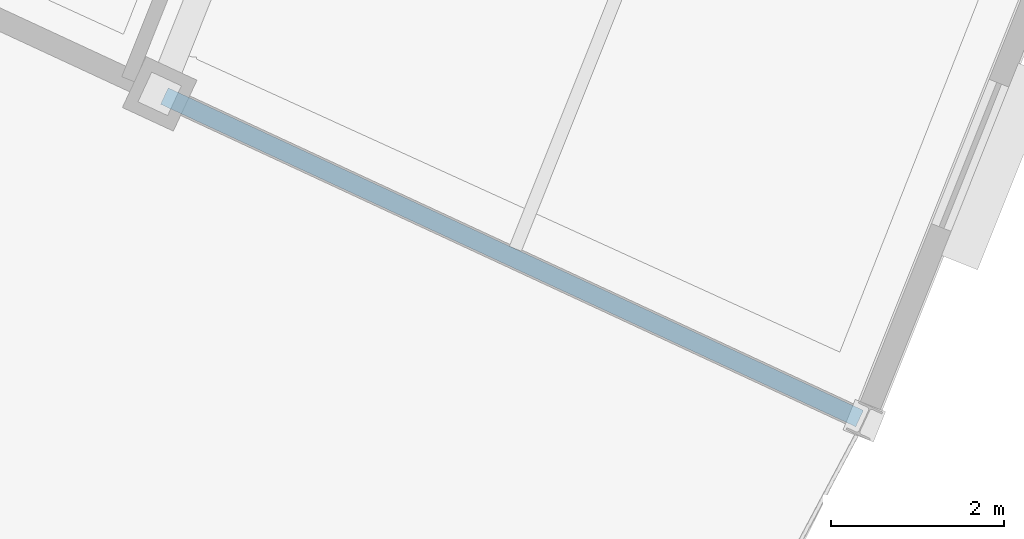
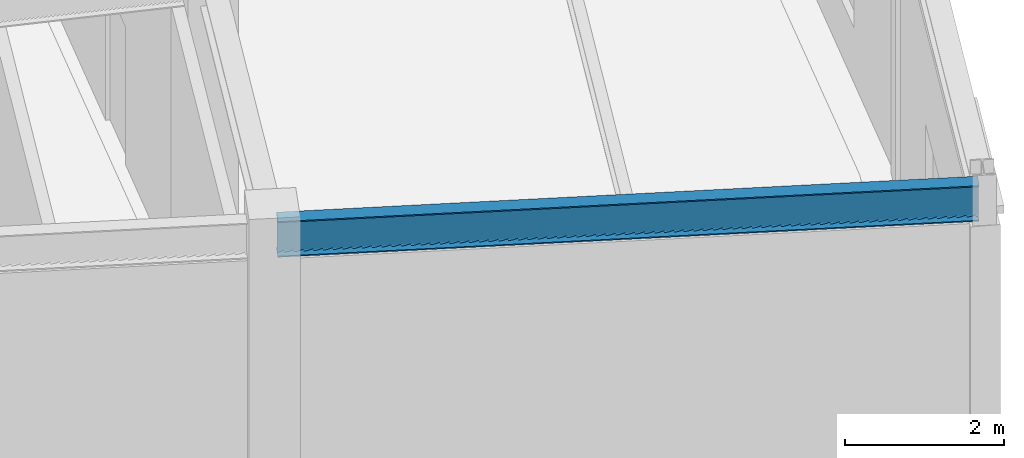
# One storey, part 64 of 108: 1 beam.
"""IFC4 building model written with IfcOpenShell, lengths in metres."""

import ifcopenshell
import ifcopenshell.guid

model = None  # the IFC model being written
_history = None  # IfcOwnerHistory: only IFC2X3 demands one
_inside = {}  # id of a spatial element -> (the spatial element, [elements in it])
_under = {}  # id of a project, library or spatial element -> (it, [spatial elements below it])
_declared = {}  # id of a project -> (the project, [libraries it declares])
_typed = {}  # id of a type object -> (the type object, [elements of that type])
_made_of = {}  # id of a material, layer set ... -> (it, [elements and type objects made of it])


def new_model(schema):
    """Start an empty IFC model of exactly this schema.

    Asked for "IFC4X3", IfcOpenShell would pick the latest addendum, in which some entities
    have other attributes; the version numbers below select the first issue.
    IFC2X3 requires an IfcOwnerHistory on every rooted entity: one is made here for all.
    """
    global model, _history
    if schema == "IFC4X3":
        model = ifcopenshell.file(schema_version=(4, 3, 0, 0))
    else:
        model = ifcopenshell.file(schema=schema)
    _inside.clear()
    _under.clear()
    _declared.clear()
    _typed.clear()
    _made_of.clear()
    _history = None
    if model.schema == "IFC2X3":
        org = make("IfcOrganization", Name="unknown")
        user = make(
            "IfcPersonAndOrganization",
            ThePerson=make("IfcPerson", FamilyName="unknown"),
            TheOrganization=org,
        )
        app = make(
            "IfcApplication",
            ApplicationDeveloper=org,
            Version="unknown",
            ApplicationFullName="unknown",
            ApplicationIdentifier="unknown",
        )
        _history = make(
            "IfcOwnerHistory",
            OwningUser=user,
            OwningApplication=app,
            ChangeAction="ADDED",
            CreationDate=0,
        )
    return model


def make(cls, **values):
    """One entity of the class cls with the attributes given. An attribute that is None is left unset."""
    return model.create_entity(
        cls, **{name: value for name, value in values.items() if value is not None}
    )


def rooted(cls, **values):
    """An entity with a GlobalId (a new one), such as an element, a storey or a relation."""
    return make(cls, GlobalId=ifcopenshell.guid.new(), OwnerHistory=_history, **values)


def si_unit(unit_type, name, prefix=None):
    """IfcSIUnit, for example si_unit("LENGTHUNIT", "METRE", prefix="MILLI")."""
    return make("IfcSIUnit", UnitType=unit_type, Prefix=prefix, Name=name)


def assignment(units):
    """IfcUnitAssignment: the units of a project."""
    return None if units is None else make("IfcUnitAssignment", Units=units)


def point(xyz):
    """IfcCartesianPoint."""
    return None if xyz is None else make("IfcCartesianPoint", Coordinates=xyz)


def direction(xyz):
    """IfcDirection."""
    return None if xyz is None else make("IfcDirection", DirectionRatios=xyz)


def frame(location, z_axis=None, x_axis=None):
    """IfcAxis2Placement3D, a coordinate frame: its origin and axes. An axis left out is left unset."""
    return make(
        "IfcAxis2Placement3D",
        Location=point(location),
        Axis=direction(z_axis),
        RefDirection=direction(x_axis),
    )


def frame_2d(location, x_axis=None):
    """IfcAxis2Placement2D, a coordinate frame in the plane: its origin and x axis."""
    return make(
        "IfcAxis2Placement2D", Location=point(location), RefDirection=direction(x_axis)
    )


def origin():
    """The frame at (0, 0, 0) with its axes left unset."""
    return frame((0.0, 0.0, 0.0))


def origin_2d():
    """The frame at (0, 0) in the plane with its x axis left unset."""
    return frame_2d((0.0, 0.0))


def place(relative_to, where):
    """IfcLocalPlacement: puts the frame where relative to a parent placement (None: the world)."""
    return make(
        "IfcLocalPlacement", PlacementRelTo=relative_to, RelativePlacement=where
    )


def context(
    kind, dimensions, precision=None, world=None, true_north=None, identifier=None
):
    """IfcGeometricRepresentationContext, for example the 3D "Model" context."""
    return make(
        "IfcGeometricRepresentationContext",
        ContextIdentifier=identifier,
        ContextType=kind,
        CoordinateSpaceDimension=dimensions,
        Precision=precision,
        WorldCoordinateSystem=world,
        TrueNorth=true_north,
    )


def subcontext(parent, identifier, kind, view, scale=None):
    """IfcGeometricRepresentationSubContext, for example "Body" below "Model"."""
    return make(
        "IfcGeometricRepresentationSubContext",
        ContextIdentifier=identifier,
        ContextType=kind,
        ParentContext=parent,
        TargetScale=scale,
        TargetView=view,
    )


def project(units=None, contexts=None):
    """IfcProject with its units and contexts."""
    return rooted(
        "IfcProject",
        Name="project",
        RepresentationContexts=contexts,
        UnitsInContext=assignment(units),
    )


def spatial(cls, under=None, at=None, **own):
    """A site, building, storey or space (cls), placed at a placement, below another one or the project."""
    s = rooted(cls, ObjectPlacement=at, **own)
    if under is not None:
        _under.setdefault(under.id(), (under, []))[1].append(s)
    return s


def profile(cls, at=None, kind="AREA", **sizes):
    """A parametric profile (cls). Its sizes go by their IFC names, for example OverallWidth=200.0."""
    return make(cls, ProfileType=kind, Position=at, **sizes)


def i_section(**sizes):
    """IfcIShapeProfileDef."""
    return profile("IfcIShapeProfileDef", **sizes)


def extrude(swept, where, along, depth):
    """IfcExtrudedAreaSolid: the profile swept, set in the frame where, extruded along a direction by depth."""
    return make(
        "IfcExtrudedAreaSolid",
        SweptArea=swept,
        Position=where,
        ExtrudedDirection=direction(along),
        Depth=depth,
    )


def shape(context_of_items, identifier, shape_type, items):
    """IfcShapeRepresentation: the items that make up one representation, for example the "Body"."""
    return make(
        "IfcShapeRepresentation",
        ContextOfItems=context_of_items,
        RepresentationIdentifier=identifier,
        RepresentationType=shape_type,
        Items=items,
    )


def material(Name=None, Category=None):
    """IfcMaterial."""
    return make("IfcMaterial", Name=Name, Category=Category)


def material_profile(
    of_material, cross_section, Name=None, Category=None, Priority=None
):
    """IfcMaterialProfile: a cross section and its material."""
    return make(
        "IfcMaterialProfile",
        Name=Name,
        Material=of_material,
        Profile=cross_section,
        Priority=Priority,
        Category=Category,
    )


def profile_set(profiles, Name=None, composite=None):
    """IfcMaterialProfileSet."""
    return make(
        "IfcMaterialProfileSet",
        Name=Name,
        MaterialProfiles=profiles,
        CompositeProfile=composite,
    )


def made_of(thing, what):
    """Note that an element or type object is made of a material, layer set ...; save() writes the relation."""
    if what is not None:
        _made_of.setdefault(what.id(), (what, []))[1].append(thing)
    return thing


def type_object(cls, material=None, **own):
    """A type object (cls), such as IfcWallType, which elements share."""
    return made_of(rooted(cls, **own), material)


def element(
    cls,
    number,
    at=None,
    inside=None,
    cuts=None,
    type_object=None,
    material=None,
    context=None,
    identifier="Body",
    shape_type=None,
    held_by="IfcProductDefinitionShape",
    body=None,
    shapes=None,
    **own,
):
    """One element of the class cls, such as IfcWall. Its Tag is "e" and its number.

    at: its placement. inside: the storey or other place that contains it. cuts: it is an
    opening in that element (IfcRelVoidsElement). A single representation is given by context,
    identifier, shape_type and body (its items); several are given by shapes. held_by: the class
    of the entity that holds the representations. save() writes the other relations.
    """
    e = rooted(cls, Tag="e%d" % number, ObjectPlacement=at, **own)
    if body is not None:
        shapes = [shape(context, identifier, shape_type, body)]
    if shapes is not None:
        e.Representation = make(held_by, Representations=shapes)
    if inside is not None:
        _inside.setdefault(inside.id(), (inside, []))[1].append(e)
    if cuts is not None:
        rooted(
            "IfcRelVoidsElement", RelatingBuildingElement=cuts, RelatedOpeningElement=e
        )
    if type_object is not None:
        _typed.setdefault(type_object.id(), (type_object, []))[1].append(e)
    return made_of(e, material)


def aggregate(whole, parts):
    """IfcRelAggregates: a whole, such as a stair, and the parts it consists of."""
    return rooted("IfcRelAggregates", RelatingObject=whole, RelatedObjects=parts)


def save(model, path):
    """Write the relations noted so far, then the file.

    IfcRelAggregates (storeys below a building ...), IfcRelContainedInSpatialStructure (elements
    in a storey), IfcRelDefinesByType, IfcRelAssociatesMaterial and IfcRelDeclares: one each for
    every whole, place, type object, material and project.
    """
    for whole, parts in _under.values():
        aggregate(whole, parts)
    for where, things in _inside.values():
        rooted(
            "IfcRelContainedInSpatialStructure",
            RelatedElements=things,
            RelatingStructure=where,
        )
    for kind, things in _typed.values():
        rooted("IfcRelDefinesByType", RelatedObjects=things, RelatingType=kind)
    for what, things in _made_of.values():
        rooted("IfcRelAssociatesMaterial", RelatedObjects=things, RelatingMaterial=what)
    for by, libraries in _declared.values():
        rooted("IfcRelDeclares", RelatingContext=by, RelatedDefinitions=libraries)
    model.write(path)


model = new_model("IFC4")

# Units and contexts
model_context = context("Model", 3, precision=1e-05, world=origin(), true_north=direction((0.0, 1.0)))
body_context = subcontext(model_context, "Body", "Model", "MODEL_VIEW")
ifc_project = project(units=[si_unit("LENGTHUNIT", "METRE"), si_unit("AREAUNIT", "SQUARE_METRE"), si_unit("VOLUMEUNIT", "CUBIC_METRE"), si_unit("PLANEANGLEUNIT", "RADIAN"), si_unit("MASSUNIT", "GRAM", prefix="KILO")], contexts=[model_context])

# Site, building, storey
site_placement = place(None, origin())
site = spatial("IfcSite", under=ifc_project, at=site_placement, CompositionType="ELEMENT")
building_placement = place(site_placement, origin())
building = spatial("IfcBuilding", under=site, at=building_placement, Name="Tarnveldt Headland Concert Hall", CompositionType="ELEMENT")
storey_placement = place(building_placement, frame((0.0, 0.0, 9.60009765625)))
storey = spatial("IfcBuildingStorey", under=building, at=storey_placement, Name="L02", CompositionType="ELEMENT", Elevation=9.60009765625)

# Beam
ifc_material = material(Name="Steel S355", Category="steel")
ifc_material_profile = material_profile(ifc_material, i_section(OverallWidth=0.2099609375, OverallDepth=0.550048828125, WebThickness=0.010986328125, FlangeThickness=0.01708984375, FilletRadius=0.02392578125, at=origin_2d()), Name="IPE550", Category="steel")
ifc_profile_set = profile_set([ifc_material_profile], Name="Steel S355")
beam_type = type_object("IfcBeamType", Name="SB-IPE550", PredefinedType="BEAM", material=ifc_profile_set)
beam_placement = place(storey_placement, frame((164.724853515625, 38.090087890625, 4.31494140625), z_axis=(0.907125568287, -0.420860075749, 0.0), x_axis=(0.420860075749, 0.907125568287, 0.0)))
element("IfcBeam", 1, at=beam_placement, inside=storey, type_object=beam_type, Name="Framing beam L02-1074", PredefinedType="BEAM", context=body_context, shape_type="SweptSolid", body=[
    extrude(i_section(OverallWidth=0.2099609375, OverallDepth=0.550048828125, WebThickness=0.010986328125, FlangeThickness=0.01708984375, FilletRadius=0.02392578125, at=origin_2d()), origin(), (0.0, 0.0, 1.0), 8.880126953125),
])

save(model, "model.ifc")
